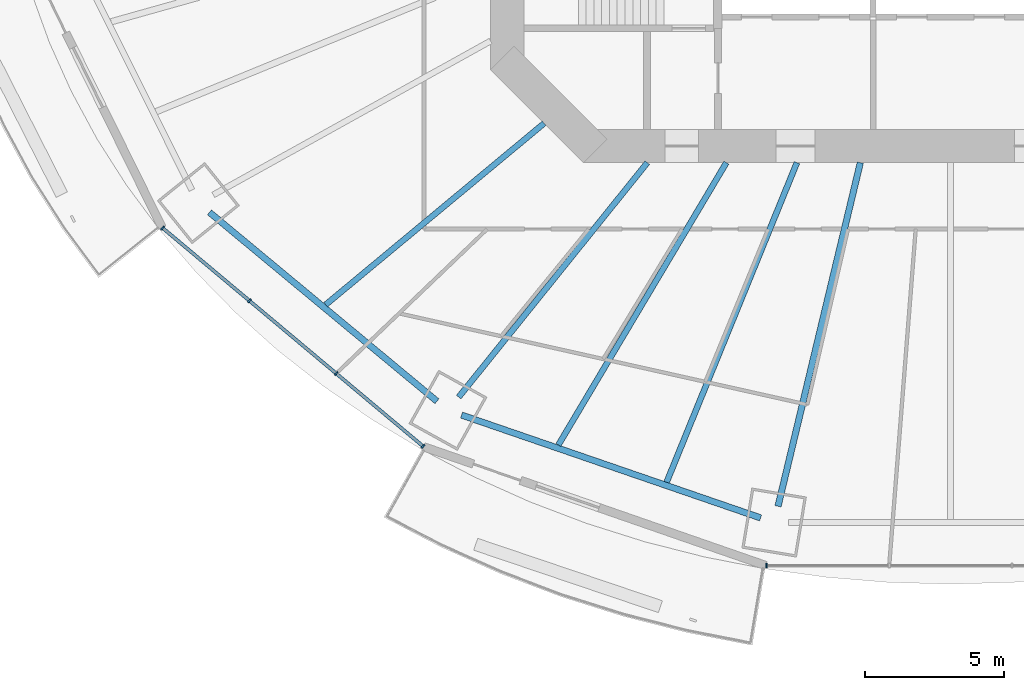
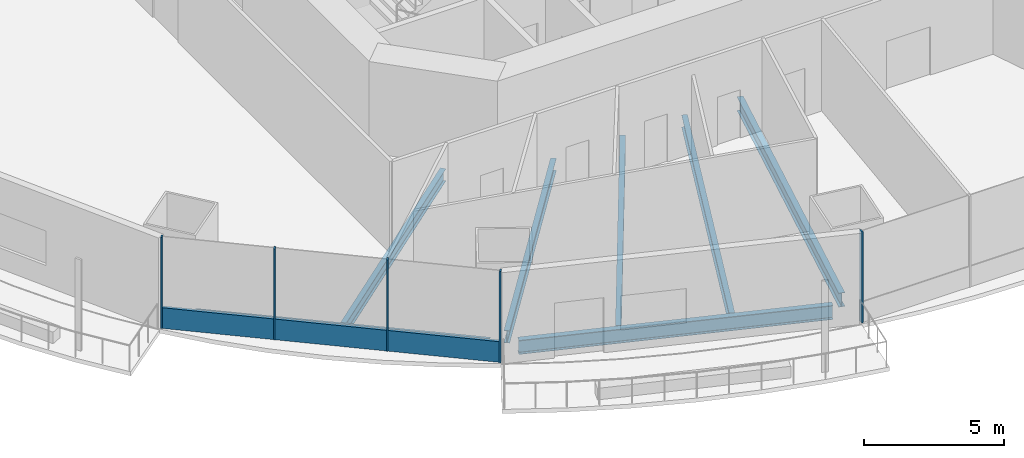
# One storey, part 2 of 22: 7 beams, 6 members, 2 elements without a shape of their own.
"""IFC4 building model written with IfcOpenShell, lengths in metres."""

from ifc_helpers import new_model, si_unit, direction, frame, origin, origin_2d, place, context, subcontext, project, spatial, rectangle, i_section, extrude, material, material_profile, profile_set, type_object, element, aggregate, save


model = new_model("IFC4")

# Units and contexts
model_context = context("Model", 3, precision=1e-05, world=origin(), true_north=direction((0.0, 1.0)))
body_context = subcontext(model_context, "Body", "Model", "MODEL_VIEW")
ifc_project = project(units=[si_unit("LENGTHUNIT", "METRE"), si_unit("AREAUNIT", "SQUARE_METRE"), si_unit("VOLUMEUNIT", "CUBIC_METRE"), si_unit("PLANEANGLEUNIT", "RADIAN"), si_unit("MASSUNIT", "GRAM", prefix="KILO")], contexts=[model_context])

# Site, building, storey
site_placement = place(None, origin())
site = spatial("IfcSite", under=ifc_project, at=site_placement, CompositionType="ELEMENT")
building_placement = place(site_placement, origin())
building = spatial("IfcBuilding", under=site, at=building_placement, Name="Marenthal Gate Tower", CompositionType="ELEMENT")
storey_placement = place(building_placement, frame((0.0, 0.0, 107.699951171875)))
storey = spatial("IfcBuildingStorey", under=building, at=storey_placement, Name="L22", CompositionType="ELEMENT", Elevation=107.699951171875)

# Curtain wall, members
ifc_material_1 = material(Name="Aluminium and glass", Category="aluminium")
curtain_wall_type = type_object("IfcCurtainWallType", Name="Curtain wall typical low", PredefinedType="NOTDEFINED", material=ifc_material_1)
curtain_wall_1_placement = place(storey_placement, origin())
curtain_wall_1 = element("IfcCurtainWall", 1, at=curtain_wall_1_placement, inside=storey, type_object=curtain_wall_type, Name="Curtain wall L22 bay 10", PredefinedType="NOTDEFINED")
ifc_material_2 = material(Name="Aluminium", Category="aluminium")
ifc_material_profile_1 = material_profile(ifc_material_2, rectangle(XDim=0.159912109375, YDim=0.06005859375, at=origin_2d()), Name="60x160 aluminium mullion")
ifc_profile_set_1 = profile_set([ifc_material_profile_1], Name="Aluminium")
member_type_1 = type_object("IfcMemberType", Name="Mullion 60x160 typical low", PredefinedType="MULLION", material=ifc_profile_set_1)
member_1_placement = place(storey_placement, frame((-28.434814453125, -15.95751953125, 0.0), z_axis=(0.0, 0.0, 1.0), x_axis=(0.642377082487, 0.766388728972, 0.0)))
member_1 = element("IfcMember", 2, at=member_1_placement, type_object=member_type_1, Name="Mullion L22 bay 10.1", PredefinedType="MULLION", context=body_context, shape_type="SweptSolid", body=[
    extrude(rectangle(XDim=0.159912109375, YDim=0.06005859375, at=origin_2d()), origin(), (0.0, 0.0, 1.0), 3.969970703125),
])
member_2_placement = place(storey_placement, frame((-25.302490234375, -18.5830078125, 0.0), z_axis=(0.0, 0.0, 1.0), x_axis=(0.642377082487, 0.766388728972, 0.0)))
member_2 = element("IfcMember", 3, at=member_2_placement, type_object=member_type_1, Name="Mullion L22 bay 10.2", PredefinedType="MULLION", context=body_context, shape_type="SweptSolid", body=[
    extrude(rectangle(XDim=0.159912109375, YDim=0.06005859375, at=origin_2d()), origin(), (0.0, 0.0, 1.0), 3.969970703125),
])
member_3_placement = place(storey_placement, frame((-22.170166015625, -21.20849609375, 0.0), z_axis=(0.0, 0.0, 1.0), x_axis=(0.642377082487, 0.766388728972, 0.0)))
member_3 = element("IfcMember", 4, at=member_3_placement, type_object=member_type_1, Name="Mullion L22 bay 10.3", PredefinedType="MULLION", context=body_context, shape_type="SweptSolid", body=[
    extrude(rectangle(XDim=0.159912109375, YDim=0.06005859375, at=origin_2d()), origin(), (0.0, 0.0, 1.0), 3.969970703125),
])
member_4_placement = place(storey_placement, frame((-19.037841796875, -23.833984375, 0.0), z_axis=(0.0, 0.0, 1.0), x_axis=(0.642377082487, 0.766388728972, 0.0)))
member_4 = element("IfcMember", 5, at=member_4_placement, type_object=member_type_1, Name="Mullion L22 bay 10.4", PredefinedType="MULLION", context=body_context, shape_type="SweptSolid", body=[
    extrude(rectangle(XDim=0.159912109375, YDim=0.06005859375, at=origin_2d()), origin(), (0.0, 0.0, 1.0), 3.969970703125),
])

# Curtain wall, member
curtain_wall_2_placement = place(storey_placement, origin())
curtain_wall_2 = element("IfcCurtainWall", 6, at=curtain_wall_2_placement, inside=storey, type_object=curtain_wall_type, Name="Curtain wall L22 bay 12", PredefinedType="NOTDEFINED")
member_5_placement = place(storey_placement, frame((-6.647216796875, -28.13671875, 0.0), z_axis=(0.0, 0.0, 1.0), x_axis=(0.0, 1.0, 0.0)))
member_5 = element("IfcMember", 7, at=member_5_placement, type_object=member_type_1, Name="Mullion L22 bay 12.1", PredefinedType="MULLION", context=body_context, shape_type="SweptSolid", body=[
    extrude(rectangle(XDim=0.159912109375, YDim=0.06005859375, at=origin_2d()), origin(), (0.0, 0.0, 1.0), 3.969970703125),
])
aggregate(curtain_wall_2, [member_5])

# Member
ifc_material_3 = material(Name="Aluminium", Category="aluminium")
ifc_material_profile_2 = material_profile(ifc_material_3, rectangle(XDim=0.1201171875, YDim=0.89990234375, at=origin_2d()), Name="120x900 aluminium transom")
ifc_profile_set_2 = profile_set([ifc_material_profile_2], Name="Aluminium")
member_type_2 = type_object("IfcMemberType", Name="Transom 120x900 typical low", PredefinedType="USERDEFINED", material=ifc_profile_set_2)
member_6_placement = place(storey_placement, frame((-28.411865234375, -15.976806640625, 0.449951171875), z_axis=(0.766391084467, -0.64237427225, 0.0), x_axis=(0.64237427225, 0.766391084467, 0.0)))
member_6 = element("IfcMember", 8, at=member_6_placement, type_object=member_type_2, Name="Transom L22 bay 10", ObjectType="TRANSOM", PredefinedType="USERDEFINED", context=body_context, shape_type="SweptSolid", body=[
    extrude(rectangle(XDim=0.1201171875, YDim=0.89990234375, at=origin_2d()), origin(), (0.0, 0.0, 1.0), 12.201416015625),
])

aggregate(curtain_wall_1, [member_1, member_2, member_3, member_4, member_6])

# Beams
ifc_material_4 = material(Name="Steel S355", Category="steel")
ifc_material_profile_3 = material_profile(ifc_material_4, i_section(OverallWidth=0.2099609375, OverallDepth=0.535888671875, WebThickness=0.010986328125, FlangeThickness=0.017333984375, FilletRadius=0.0126953125, at=origin_2d()), Name="W530X101")
ifc_profile_set_3 = profile_set([ifc_material_profile_3], Name="Steel S355")
beam_type_1 = type_object("IfcBeamType", Name="W530X101 beam", PredefinedType="BEAM", material=ifc_profile_set_3)
beam_1_placement = place(storey_placement, frame((-22.551025390625, -18.7255859375, -0.447998046875), z_axis=(0.769343150929, 0.638835750501, 0.0), x_axis=(-0.638835750501, 0.769343150929, 0.0)))
element("IfcBeam", 9, at=beam_1_placement, inside=storey, type_object=beam_type_1, Name="BM-L22-31", PredefinedType="BEAM", context=body_context, shape_type="SweptSolid", body=[
    extrude(i_section(OverallWidth=0.2099609375, OverallDepth=0.535888671875, WebThickness=0.010986328125, FlangeThickness=0.017333984375, FilletRadius=0.0126953125, at=origin_2d()), origin(), (0.0, 0.0, 1.0), 10.245849609375),
])
ifc_material_5 = material(Name="Steel S355", Category="steel")
ifc_material_profile_4 = material_profile(ifc_material_5, i_section(OverallWidth=0.2119140625, OverallDepth=0.5439453125, WebThickness=0.01318359375, FlangeThickness=0.021240234375, FilletRadius=0.0126953125, at=origin_2d()), Name="W530X123")
ifc_profile_set_4 = profile_set([ifc_material_profile_4], Name="Steel S355")
beam_type_2 = type_object("IfcBeamType", Name="W530X123 beam", PredefinedType="BEAM", material=ifc_profile_set_4)
beam_2_placement = place(storey_placement, frame((-17.750732421875, -22.059326171875, -0.451904296875), z_axis=(0.626924535124, 0.779079987716, 0.0), x_axis=(-0.779079987716, 0.626924535124, 0.0)))
element("IfcBeam", 10, at=beam_2_placement, inside=storey, type_object=beam_type_2, Name="BM-L22-11", PredefinedType="BEAM", context=body_context, shape_type="SweptSolid", body=[
    extrude(i_section(OverallWidth=0.2119140625, OverallDepth=0.5439453125, WebThickness=0.01318359375, FlangeThickness=0.021240234375, FilletRadius=0.0126953125, at=origin_2d()), origin(), (0.0, 0.0, 1.0), 10.85791015625),
])
beam_3_placement = place(storey_placement, frame((-14.154541015625, -23.7880859375, -0.451904296875), z_axis=(0.511357862228, 0.859367870436, 0.0), x_axis=(-0.859367870436, 0.511357862228, 0.0)))
element("IfcBeam", 11, at=beam_3_placement, inside=storey, type_object=beam_type_2, Name="BM-L22-32", PredefinedType="BEAM", context=body_context, shape_type="SweptSolid", body=[
    extrude(i_section(OverallWidth=0.2119140625, OverallDepth=0.5439453125, WebThickness=0.01318359375, FlangeThickness=0.021240234375, FilletRadius=0.0126953125, at=origin_2d()), origin(), (0.0, 0.0, 1.0), 11.855224609375),
])
beam_4_placement = place(storey_placement, frame((-10.248291015625, -25.131591796875, -0.451904296875), z_axis=(0.377598266022, 0.925969518665, 0.0), x_axis=(-0.925969518665, 0.377598266022, 0.0)))
element("IfcBeam", 12, at=beam_4_placement, inside=storey, type_object=beam_type_2, Name="BM-L22-33", PredefinedType="BEAM", context=body_context, shape_type="SweptSolid", body=[
    extrude(i_section(OverallWidth=0.2119140625, OverallDepth=0.5439453125, WebThickness=0.01318359375, FlangeThickness=0.021240234375, FilletRadius=0.0126953125, at=origin_2d()), origin(), (0.0, 0.0, 1.0), 12.453369140625),
])
ifc_material_6 = material(Name="Steel S355", Category="steel")
ifc_material_profile_5 = material_profile(ifc_material_6, i_section(OverallWidth=0.22900390625, OverallDepth=0.612060546875, WebThickness=0.011962890625, FlangeThickness=0.01953125, FilletRadius=0.0126953125, at=origin_2d()), Name="W610X125")
ifc_profile_set_5 = profile_set([ifc_material_profile_5], Name="Steel S355")
beam_type_3 = type_object("IfcBeamType", Name="W610X125 beam", PredefinedType="BEAM", material=ifc_profile_set_5)
beam_5_placement = place(storey_placement, frame((-6.228515625, -26.000732421875, -0.48583984375), z_axis=(0.232968867139, 0.972484193673, 0.0), x_axis=(-0.972484193673, 0.232968867139, 0.0)))
element("IfcBeam", 13, at=beam_5_placement, inside=storey, type_object=beam_type_3, Name="BM-L22-12", PredefinedType="BEAM", context=body_context, shape_type="SweptSolid", body=[
    extrude(i_section(OverallWidth=0.22900390625, OverallDepth=0.612060546875, WebThickness=0.011962890625, FlangeThickness=0.01953125, FilletRadius=0.0126953125, at=origin_2d()), origin(), (0.0, 0.0, 1.0), 12.75146484375),
])
beam_6_placement = place(storey_placement, frame((-26.743896484375, -15.392822265625, -0.48583984375), z_axis=(0.769349195684, -0.638828470796, 0.0), x_axis=(0.638828470796, 0.769349195684, 0.0)))
element("IfcBeam", 14, at=beam_6_placement, inside=storey, type_object=beam_type_3, Name="BM-L22-50", PredefinedType="BEAM", context=body_context, shape_type="SweptSolid", body=[
    extrude(i_section(OverallWidth=0.22900390625, OverallDepth=0.612060546875, WebThickness=0.011962890625, FlangeThickness=0.01953125, FilletRadius=0.0126953125, at=origin_2d()), origin(), (0.0, 0.0, 1.0), 10.66943359375),
])
beam_7_placement = place(storey_placement, frame((-17.649658203125, -22.707275390625, -0.48583984375), z_axis=(0.945631108542, -0.325241151391, 0.0), x_axis=(0.325241151391, 0.945631108542, 0.0)))
element("IfcBeam", 15, at=beam_7_placement, inside=storey, type_object=beam_type_3, Name="BM-L22-51", PredefinedType="BEAM", context=body_context, shape_type="SweptSolid", body=[
    extrude(i_section(OverallWidth=0.22900390625, OverallDepth=0.612060546875, WebThickness=0.011962890625, FlangeThickness=0.01953125, FilletRadius=0.0126953125, at=origin_2d()), origin(), (0.0, 0.0, 1.0), 11.4150390625),
])

save(model, "model.ifc")
